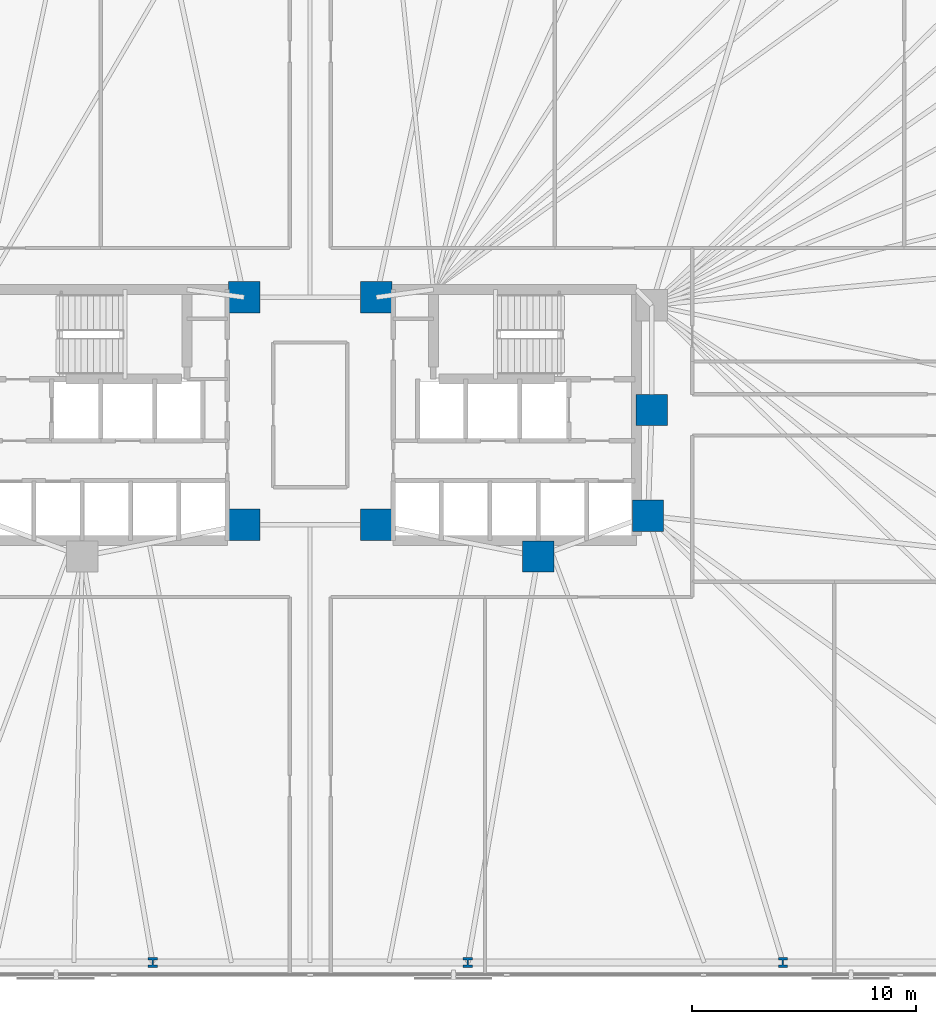
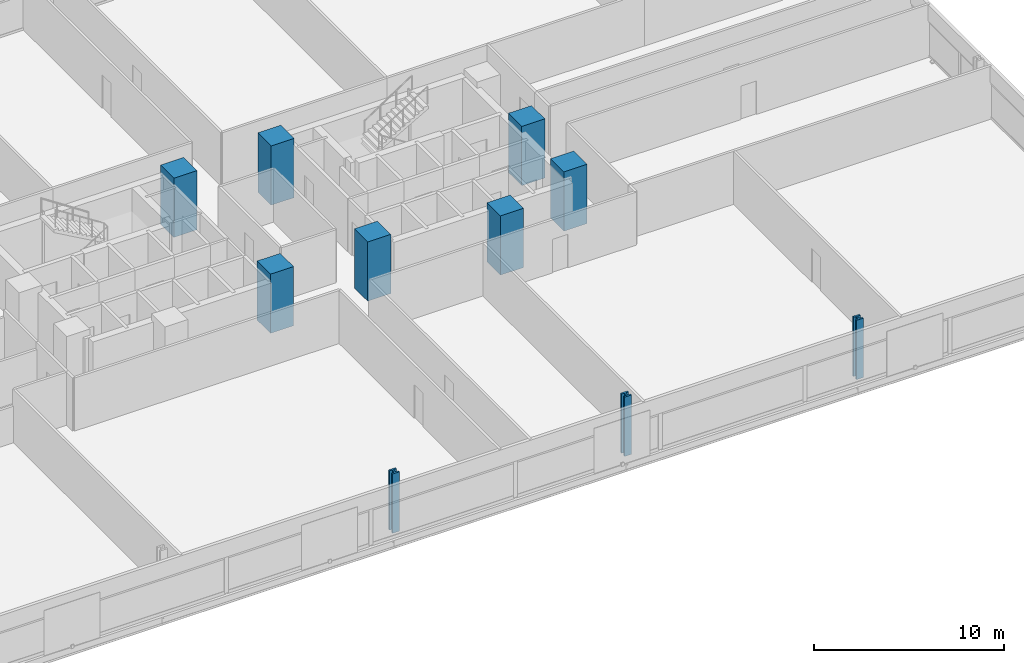
# One storey, part 3 of 17: 10 columns.
"""IFC4 building model written with IfcOpenShell, lengths in metres."""

from ifc_helpers import new_model, si_unit, direction, frame, origin, origin_2d, place, context, subcontext, project, spatial, rectangle, i_section, extrude, material, material_profile, profile_set, type_object, element, save


model = new_model("IFC4")

# Units and contexts
model_context = context("Model", 3, precision=1e-05, world=origin(), true_north=direction((0.0, 1.0)))
body_context = subcontext(model_context, "Body", "Model", "MODEL_VIEW")
ifc_project = project(units=[si_unit("LENGTHUNIT", "METRE"), si_unit("AREAUNIT", "SQUARE_METRE"), si_unit("VOLUMEUNIT", "CUBIC_METRE"), si_unit("PLANEANGLEUNIT", "RADIAN"), si_unit("MASSUNIT", "GRAM", prefix="KILO")], contexts=[model_context])

# Site, building, storey
site_placement = place(None, origin())
site = spatial("IfcSite", under=ifc_project, at=site_placement, CompositionType="ELEMENT")
building_placement = place(site_placement, origin())
building = spatial("IfcBuilding", under=site, at=building_placement, Name="Menara Jurai Vektor", CompositionType="ELEMENT")
storey_placement = place(building_placement, frame((0.0, 0.0, 75.0)))
storey = spatial("IfcBuildingStorey", under=building, at=storey_placement, Name="L18", CompositionType="ELEMENT", Elevation=75.0)

# Columns
ifc_material_1 = material(Name="Concrete C60/75", Category="concrete")
ifc_material_profile_1 = material_profile(ifc_material_1, rectangle(XDim=1.39990234375, YDim=1.39990234375, at=origin_2d()), Name="RC 1400x1400")
ifc_profile_set_1 = profile_set([ifc_material_profile_1], Name="Concrete C60/75")
column_type_1 = type_object("IfcColumnType", Name="STR-COL-RC1400", PredefinedType="COLUMN", material=ifc_profile_set_1)
for number, where, z_axis, x_axis, name in (
    (1, (-2.949951171875, -4.89990234375, 0.0), (0.0, 0.0, 1.0), (1.0, 0.0, 0.0), "Core Spine Column CW-SE L18"),
    (2, (-2.949951171875, 5.25, 0.0), (0.0, 0.0, 1.0), (1.0, 0.0, 0.0), "Core Spine Column CW-NE L18"),
    (3, (15.25, 0.219970703125, 0.0), (0.0, 0.0, 1.0), (1.0, 0.0, 0.0), "Core Spine Column CE-EM L18"),
    (4, (15.080078125, -4.5, 0.0), (0.0, 0.0, 1.0), (1.0, 0.0, 0.0), "Core Spine Column CE-SE L18"),
    (5, (10.179931640625, -6.320068359375, 0.0), (0.0, 0.0, 1.0), (1.0, 0.0, 0.0), "Core Spine Column CE-SM L18"),
    (6, (2.949951171875, -4.89990234375, 0.0), (0.0, 0.0, 1.0), (1.0, 0.0, 0.0), "Core Spine Column CE-SW L18"),
    (7, (2.949951171875, 5.25, 0.0), (0.0, 0.0, 1.0), (1.0, 0.0, 0.0), "Core Spine Column CE-NW L18"),
):
    element("IfcColumn", number, at=place(storey_placement, frame(where, z_axis=z_axis, x_axis=x_axis)), inside=storey, type_object=column_type_1, Name=name, PredefinedType="COLUMN", context=body_context, shape_type="SweptSolid", body=[
        extrude(rectangle(XDim=1.39990234375, YDim=1.39990234375, at=origin_2d()), origin(), (0.0, 0.0, 1.0), 3.800048828125),
    ])
ifc_material_2 = material(Name="Steel S460", Category="steel")
ifc_material_profile_2 = material_profile(ifc_material_2, i_section(OverallWidth=0.419921875, OverallDepth=0.430908203125, WebThickness=0.06494140625, FlangeThickness=0.10595703125, FilletRadius=0.014892578125, at=origin_2d()), Name="HD 400x900")
ifc_profile_set_2 = profile_set([ifc_material_profile_2], Name="Steel S460")
column_type_2 = type_object("IfcColumnType", Name="STR-EXO-BLK1", PredefinedType="COLUMN", material=ifc_profile_set_2)
for number, where, z_axis, x_axis, name in (
    (8, (-7.03564453125, -24.449951171875, 0.0), (0.0, 0.0, 1.0), (1.0, 0.0, 0.0), "Exoskeleton Column BLK1-S3 L18"),
    (9, (7.03564453125, -24.449951171875, 0.0), (0.0, 0.0, 1.0), (1.0, 0.0, 0.0), "Exoskeleton Column BLK1-S4 L18"),
    (10, (21.106689453125, -24.449951171875, 0.0), (0.0, 0.0, 1.0), (1.0, 0.0, 0.0), "Exoskeleton Column BLK1-S5 L18"),
):
    element("IfcColumn", number, at=place(storey_placement, frame(where, z_axis=z_axis, x_axis=x_axis)), inside=storey, type_object=column_type_2, Name=name, PredefinedType="COLUMN", context=body_context, shape_type="SweptSolid", body=[
        extrude(i_section(OverallWidth=0.419921875, OverallDepth=0.430908203125, WebThickness=0.06494140625, FlangeThickness=0.10595703125, FilletRadius=0.014892578125, at=origin_2d()), origin(), (0.0, 0.0, 1.0), 3.800048828125),
    ])

save(model, "model.ifc")
